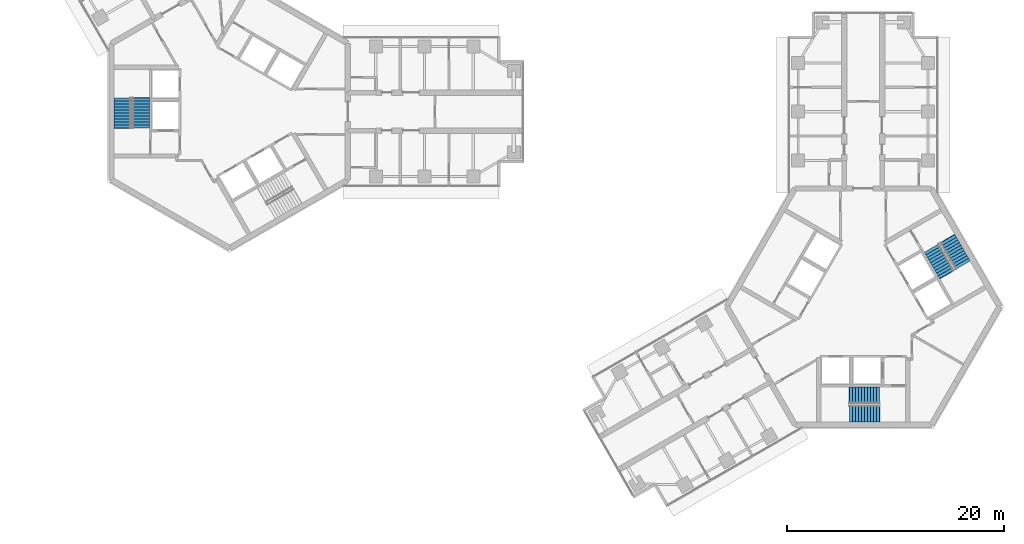
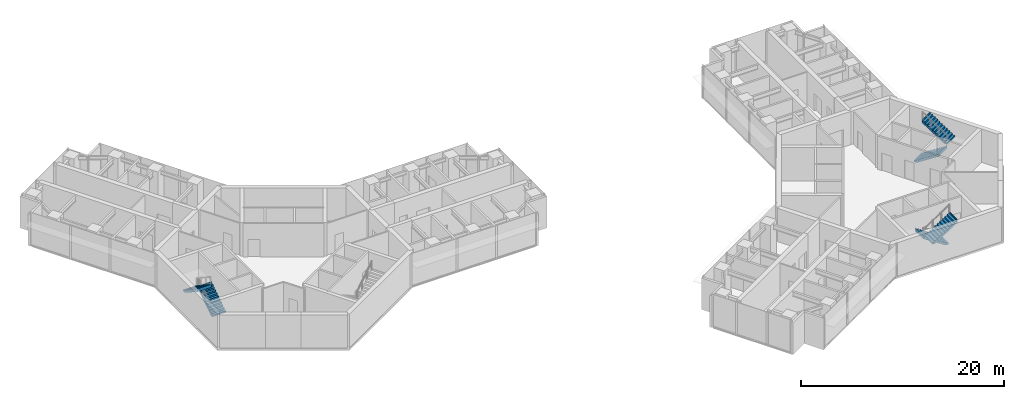
# One storey, part 16 of 17: 6 stair flights, 3 elements without a shape of their own.
"""IFC4 building model written with IfcOpenShell, lengths in metres."""

from ifc_helpers import new_model, si_unit, direction, frame, origin, place, context, subcontext, project, spatial, polyline, outline, extrude, material, type_object, element, aggregate, save


model = new_model("IFC4")

# Units and contexts
model_context = context("Model", 3, precision=1e-05, world=origin(), true_north=direction((0.0, 1.0)))
body_context = subcontext(model_context, "Body", "Model", "MODEL_VIEW")
ifc_project = project(units=[si_unit("LENGTHUNIT", "METRE"), si_unit("AREAUNIT", "SQUARE_METRE"), si_unit("VOLUMEUNIT", "CUBIC_METRE"), si_unit("PLANEANGLEUNIT", "RADIAN"), si_unit("MASSUNIT", "GRAM", prefix="KILO")], contexts=[model_context])

# Site, building, storey
site_placement = place(None, origin())
site = spatial("IfcSite", under=ifc_project, at=site_placement, CompositionType="ELEMENT")
building_placement = place(site_placement, origin())
building = spatial("IfcBuilding", under=site, at=building_placement, Name="Upepo Twin Towers", CompositionType="ELEMENT")
storey_placement = place(building_placement, frame((0.0, 0.0, 190.5)))
storey = spatial("IfcBuildingStorey", under=building, at=storey_placement, Name="L46", CompositionType="ELEMENT", Elevation=190.5)

# Stair, stair flights
ifc_material_1 = material(Name="Concrete C40/50", Category="concrete")
stair_type = type_object("IfcStairType", Name="Core stair, two flights", PredefinedType="HALF_TURN_STAIR", material=ifc_material_1)
stair_1_placement = place(storey_placement, origin())
stair_1 = element("IfcStair", 1, at=stair_1_placement, inside=storey, type_object=stair_type, Name="T1 stair S1 L46", PredefinedType="HALF_TURN_STAIR")
ifc_material_2 = material(Name="Concrete C40/50", Category="concrete")
stair_flight_type = type_object("IfcStairFlightType", Name="Stair flight 1550 RC", PredefinedType="STRAIGHT", material=ifc_material_2)
stair_flight_1_placement = place(storey_placement, frame((-8.175048828125, -1.52001953125, 0.0), z_axis=(0.0, 0.0, 1.0), x_axis=(0.0, 1.0, 0.0)))
stair_flight_1 = element("IfcStairFlight", 2, at=stair_flight_1_placement, type_object=stair_flight_type, Name="Stair S1 flight 1", NumberOfRisers=11, NumberOfTreads=10, PredefinedType="STRAIGHT", RiserHeight=0.181818182, TreadLength=0.28, context=body_context, shape_type="SweptSolid", body=[
    extrude(outline(polyline([(0.0, 0.0), (0.0, 0.181884765625), (0.280029296875, 0.181884765625), (0.280029296875, 0.363525390625), (0.56005859375, 0.363525390625), (0.56005859375, 0.54541015625), (0.840087890625, 0.54541015625), (0.840087890625, 0.727294921875), (1.1201171875, 0.727294921875), (1.1201171875, 0.9091796875), (1.39990234375, 0.9091796875), (1.39990234375, 1.0908203125), (1.679931640625, 1.0908203125), (1.679931640625, 1.272705078125), (1.9599609375, 1.272705078125), (1.9599609375, 1.45458984375), (2.239990234375, 1.45458984375), (2.239990234375, 1.636474609375), (2.52001953125, 1.636474609375), (2.52001953125, 1.818115234375), (2.800048828125, 1.818115234375), (2.800048828125, 2.0), (2.85009765625, 2.0), (2.85009765625, 1.639404296875), (0.3251953125, 0.0), (0.0, 0.0)])), frame((0.0, 0.77490234375, 0.0), z_axis=(0.0, -1.0, 0.0), x_axis=(1.0, 0.0, 0.0)), (0.0, 0.0, 1.0), 1.550048828125),
])
stair_flight_2_placement = place(storey_placement, frame((-9.88330078125, 1.280029296875, 2.0), z_axis=(0.0, 0.0, 1.0), x_axis=(0.0, -1.0, 0.0)))
stair_flight_2 = element("IfcStairFlight", 3, at=stair_flight_2_placement, type_object=stair_flight_type, Name="Stair S1 flight 2", NumberOfRisers=11, NumberOfTreads=10, PredefinedType="STRAIGHT", RiserHeight=0.181818182, TreadLength=0.28, context=body_context, shape_type="SweptSolid", body=[
    extrude(outline(polyline([(0.0, 0.0), (0.0, 0.181884765625), (0.280029296875, 0.181884765625), (0.280029296875, 0.363525390625), (0.56005859375, 0.363525390625), (0.56005859375, 0.54541015625), (0.840087890625, 0.54541015625), (0.840087890625, 0.727294921875), (1.1201171875, 0.727294921875), (1.1201171875, 0.9091796875), (1.39990234375, 0.9091796875), (1.39990234375, 1.0908203125), (1.679931640625, 1.0908203125), (1.679931640625, 1.272705078125), (1.9599609375, 1.272705078125), (1.9599609375, 1.45458984375), (2.239990234375, 1.45458984375), (2.239990234375, 1.636474609375), (2.52001953125, 1.636474609375), (2.52001953125, 1.818115234375), (2.800048828125, 1.818115234375), (2.800048828125, 2.0), (2.85009765625, 2.0), (2.85009765625, 1.639404296875), (0.3251953125, 0.0), (0.0, 0.0)])), frame((0.0, 0.77490234375, 0.0), z_axis=(0.0, -1.0, 0.0), x_axis=(1.0, 0.0, 0.0)), (0.0, 0.0, 1.0), 1.550048828125),
])
aggregate(stair_1, [stair_flight_1, stair_flight_2])

stair_2_placement = place(storey_placement, origin())
stair_2 = element("IfcStair", 4, at=stair_2_placement, inside=storey, type_object=stair_type, Name="T2 stair S1 L46", PredefinedType="HALF_TURN_STAIR")
stair_flight_3_placement = place(storey_placement, frame((60.02001953125, -26.175048828125, 0.0), z_axis=(0.0, 0.0, 1.0), x_axis=(-1.0, 0.0, 0.0)))
stair_flight_3 = element("IfcStairFlight", 5, at=stair_flight_3_placement, type_object=stair_flight_type, Name="Stair S1 flight 1", NumberOfRisers=11, NumberOfTreads=10, PredefinedType="STRAIGHT", RiserHeight=0.181818182, TreadLength=0.28, context=body_context, shape_type="SweptSolid", body=[
    extrude(outline(polyline([(0.0, 0.0), (0.0, 0.181884765625), (0.280029296875, 0.181884765625), (0.280029296875, 0.363525390625), (0.56005859375, 0.363525390625), (0.56005859375, 0.54541015625), (0.840087890625, 0.54541015625), (0.840087890625, 0.727294921875), (1.1201171875, 0.727294921875), (1.1201171875, 0.9091796875), (1.39990234375, 0.9091796875), (1.39990234375, 1.0908203125), (1.679931640625, 1.0908203125), (1.679931640625, 1.272705078125), (1.9599609375, 1.272705078125), (1.9599609375, 1.45458984375), (2.239990234375, 1.45458984375), (2.239990234375, 1.636474609375), (2.52001953125, 1.636474609375), (2.52001953125, 1.818115234375), (2.800048828125, 1.818115234375), (2.800048828125, 2.0), (2.85009765625, 2.0), (2.85009765625, 1.639404296875), (0.3251953125, 0.0), (0.0, 0.0)])), frame((0.0, 0.77490234375, 0.0), z_axis=(0.0, -1.0, 0.0), x_axis=(1.0, 0.0, 0.0)), (0.0, 0.0, 1.0), 1.550048828125),
])
stair_flight_4_placement = place(storey_placement, frame((57.219970703125, -27.88330078125, 2.0), z_axis=(0.0, 0.0, 1.0), x_axis=(1.0, 0.0, 0.0)))
stair_flight_4 = element("IfcStairFlight", 6, at=stair_flight_4_placement, type_object=stair_flight_type, Name="Stair S1 flight 2", NumberOfRisers=11, NumberOfTreads=10, PredefinedType="STRAIGHT", RiserHeight=0.181818182, TreadLength=0.28, context=body_context, shape_type="SweptSolid", body=[
    extrude(outline(polyline([(0.0, 0.0), (0.0, 0.181884765625), (0.280029296875, 0.181884765625), (0.280029296875, 0.363525390625), (0.56005859375, 0.363525390625), (0.56005859375, 0.54541015625), (0.840087890625, 0.54541015625), (0.840087890625, 0.727294921875), (1.1201171875, 0.727294921875), (1.1201171875, 0.9091796875), (1.39990234375, 0.9091796875), (1.39990234375, 1.0908203125), (1.679931640625, 1.0908203125), (1.679931640625, 1.272705078125), (1.9599609375, 1.272705078125), (1.9599609375, 1.45458984375), (2.239990234375, 1.45458984375), (2.239990234375, 1.636474609375), (2.52001953125, 1.636474609375), (2.52001953125, 1.818115234375), (2.800048828125, 1.818115234375), (2.800048828125, 2.0), (2.85009765625, 2.0), (2.85009765625, 1.639404296875), (0.3251953125, 0.0), (0.0, 0.0)])), frame((0.0, 0.77490234375, 0.0), z_axis=(0.0, -1.0, 0.0), x_axis=(1.0, 0.0, 0.0)), (0.0, 0.0, 1.0), 1.550048828125),
])
aggregate(stair_2, [stair_flight_3, stair_flight_4])

stair_3_placement = place(storey_placement, origin())
stair_3 = element("IfcStair", 7, at=stair_3_placement, inside=storey, type_object=stair_type, Name="T2 stair S2 L46", PredefinedType="HALF_TURN_STAIR")
stair_flight_5_placement = place(storey_placement, frame((64.81982421875, -12.59619140625, 0.0), z_axis=(0.0, 0.0, 1.0), x_axis=(0.5, -0.866025403784, 0.0)))
stair_flight_5 = element("IfcStairFlight", 8, at=stair_flight_5_placement, type_object=stair_flight_type, Name="Stair S2 flight 1", NumberOfRisers=11, NumberOfTreads=10, PredefinedType="STRAIGHT", RiserHeight=0.181818182, TreadLength=0.28, context=body_context, shape_type="SweptSolid", body=[
    extrude(outline(polyline([(0.0, 0.0), (0.0, 0.181884765625), (0.280029296875, 0.181884765625), (0.280029296875, 0.363525390625), (0.56005859375, 0.363525390625), (0.56005859375, 0.54541015625), (0.840087890625, 0.54541015625), (0.840087890625, 0.727294921875), (1.1201171875, 0.727294921875), (1.1201171875, 0.9091796875), (1.39990234375, 0.9091796875), (1.39990234375, 1.0908203125), (1.679931640625, 1.0908203125), (1.679931640625, 1.272705078125), (1.9599609375, 1.272705078125), (1.9599609375, 1.45458984375), (2.239990234375, 1.45458984375), (2.239990234375, 1.636474609375), (2.52001953125, 1.636474609375), (2.52001953125, 1.818115234375), (2.800048828125, 1.818115234375), (2.800048828125, 2.0), (2.85009765625, 2.0), (2.85009765625, 1.639404296875), (0.3251953125, 0.0), (0.0, 0.0)])), frame((0.0, 0.77490234375, 0.0), z_axis=(0.0, -1.0, 0.0), x_axis=(1.0, 0.0, 0.0)), (0.0, 0.0, 1.0), 1.550048828125),
])
stair_flight_6_placement = place(storey_placement, frame((67.69921875, -14.166748046875, 2.0), z_axis=(0.0, 0.0, 1.0), x_axis=(-0.5, 0.866025403784, 0.0)))
stair_flight_6 = element("IfcStairFlight", 9, at=stair_flight_6_placement, type_object=stair_flight_type, Name="Stair S2 flight 2", NumberOfRisers=11, NumberOfTreads=10, PredefinedType="STRAIGHT", RiserHeight=0.181818182, TreadLength=0.28, context=body_context, shape_type="SweptSolid", body=[
    extrude(outline(polyline([(0.0, 0.0), (0.0, 0.181884765625), (0.280029296875, 0.181884765625), (0.280029296875, 0.363525390625), (0.56005859375, 0.363525390625), (0.56005859375, 0.54541015625), (0.840087890625, 0.54541015625), (0.840087890625, 0.727294921875), (1.1201171875, 0.727294921875), (1.1201171875, 0.9091796875), (1.39990234375, 0.9091796875), (1.39990234375, 1.0908203125), (1.679931640625, 1.0908203125), (1.679931640625, 1.272705078125), (1.9599609375, 1.272705078125), (1.9599609375, 1.45458984375), (2.239990234375, 1.45458984375), (2.239990234375, 1.636474609375), (2.52001953125, 1.636474609375), (2.52001953125, 1.818115234375), (2.800048828125, 1.818115234375), (2.800048828125, 2.0), (2.85009765625, 2.0), (2.85009765625, 1.639404296875), (0.3251953125, 0.0), (0.0, 0.0)])), frame((0.0, 0.77490234375, 0.0), z_axis=(0.0, -1.0, 0.0), x_axis=(1.0, 0.0, 0.0)), (0.0, 0.0, 1.0), 1.550048828125),
])
aggregate(stair_3, [stair_flight_5, stair_flight_6])

save(model, "model.ifc")
